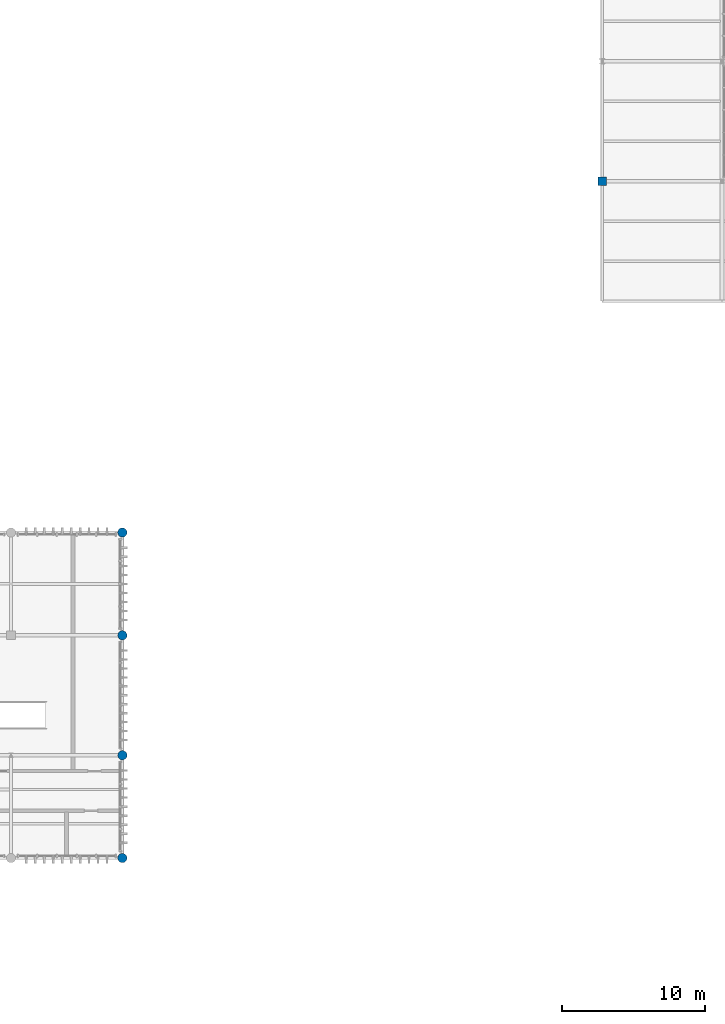
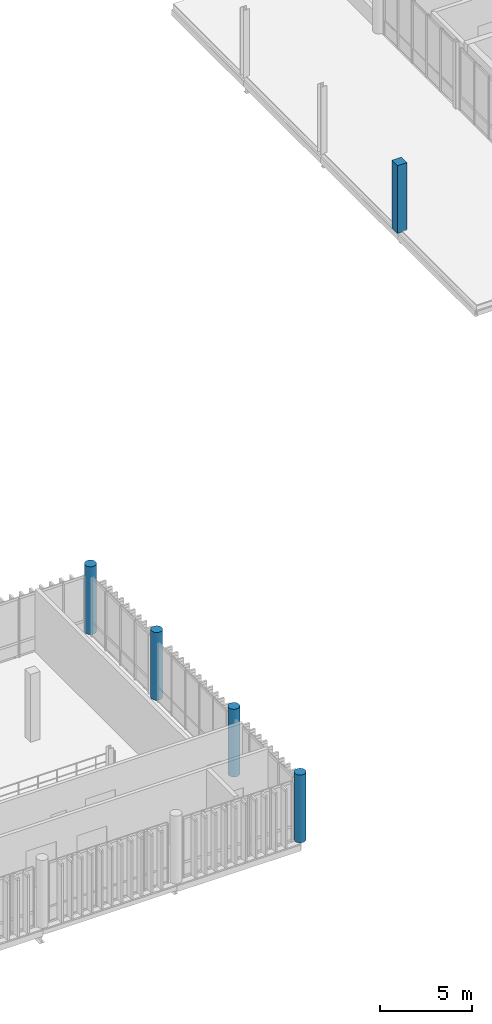
# One storey, part 4 of 66: 5 columns.
"""IFC4 building model written with IfcOpenShell, lengths in metres."""

import ifcopenshell
import ifcopenshell.guid

model = None  # the IFC model being written
_history = None  # IfcOwnerHistory: only IFC2X3 demands one
_inside = {}  # id of a spatial element -> (the spatial element, [elements in it])
_under = {}  # id of a project, library or spatial element -> (it, [spatial elements below it])
_declared = {}  # id of a project -> (the project, [libraries it declares])
_typed = {}  # id of a type object -> (the type object, [elements of that type])
_made_of = {}  # id of a material, layer set ... -> (it, [elements and type objects made of it])


def new_model(schema):
    """Start an empty IFC model of exactly this schema.

    Asked for "IFC4X3", IfcOpenShell would pick the latest addendum, in which some entities
    have other attributes; the version numbers below select the first issue.
    IFC2X3 requires an IfcOwnerHistory on every rooted entity: one is made here for all.
    """
    global model, _history
    if schema == "IFC4X3":
        model = ifcopenshell.file(schema_version=(4, 3, 0, 0))
    else:
        model = ifcopenshell.file(schema=schema)
    _inside.clear()
    _under.clear()
    _declared.clear()
    _typed.clear()
    _made_of.clear()
    _history = None
    if model.schema == "IFC2X3":
        org = make("IfcOrganization", Name="unknown")
        user = make(
            "IfcPersonAndOrganization",
            ThePerson=make("IfcPerson", FamilyName="unknown"),
            TheOrganization=org,
        )
        app = make(
            "IfcApplication",
            ApplicationDeveloper=org,
            Version="unknown",
            ApplicationFullName="unknown",
            ApplicationIdentifier="unknown",
        )
        _history = make(
            "IfcOwnerHistory",
            OwningUser=user,
            OwningApplication=app,
            ChangeAction="ADDED",
            CreationDate=0,
        )
    return model


def make(cls, **values):
    """One entity of the class cls with the attributes given. An attribute that is None is left unset."""
    return model.create_entity(
        cls, **{name: value for name, value in values.items() if value is not None}
    )


def rooted(cls, **values):
    """An entity with a GlobalId (a new one), such as an element, a storey or a relation."""
    return make(cls, GlobalId=ifcopenshell.guid.new(), OwnerHistory=_history, **values)


def si_unit(unit_type, name, prefix=None):
    """IfcSIUnit, for example si_unit("LENGTHUNIT", "METRE", prefix="MILLI")."""
    return make("IfcSIUnit", UnitType=unit_type, Prefix=prefix, Name=name)


def assignment(units):
    """IfcUnitAssignment: the units of a project."""
    return None if units is None else make("IfcUnitAssignment", Units=units)


def point(xyz):
    """IfcCartesianPoint."""
    return None if xyz is None else make("IfcCartesianPoint", Coordinates=xyz)


def direction(xyz):
    """IfcDirection."""
    return None if xyz is None else make("IfcDirection", DirectionRatios=xyz)


def frame(location, z_axis=None, x_axis=None):
    """IfcAxis2Placement3D, a coordinate frame: its origin and axes. An axis left out is left unset."""
    return make(
        "IfcAxis2Placement3D",
        Location=point(location),
        Axis=direction(z_axis),
        RefDirection=direction(x_axis),
    )


def frame_2d(location, x_axis=None):
    """IfcAxis2Placement2D, a coordinate frame in the plane: its origin and x axis."""
    return make(
        "IfcAxis2Placement2D", Location=point(location), RefDirection=direction(x_axis)
    )


def origin_with_axes():
    """The frame at (0, 0, 0) with the z axis (0, 0, 1) and the x axis (1, 0, 0) written out."""
    return frame((0.0, 0.0, 0.0), z_axis=(0.0, 0.0, 1.0), x_axis=(1.0, 0.0, 0.0))


def origin_2d_with_axis():
    """The frame at (0, 0) in the plane with the x axis (1, 0) written out."""
    return frame_2d((0.0, 0.0), x_axis=(1.0, 0.0))


def place(relative_to, where):
    """IfcLocalPlacement: puts the frame where relative to a parent placement (None: the world)."""
    return make(
        "IfcLocalPlacement", PlacementRelTo=relative_to, RelativePlacement=where
    )


def context(
    kind, dimensions, precision=None, world=None, true_north=None, identifier=None
):
    """IfcGeometricRepresentationContext, for example the 3D "Model" context."""
    return make(
        "IfcGeometricRepresentationContext",
        ContextIdentifier=identifier,
        ContextType=kind,
        CoordinateSpaceDimension=dimensions,
        Precision=precision,
        WorldCoordinateSystem=world,
        TrueNorth=true_north,
    )


def subcontext(parent, identifier, kind, view, scale=None):
    """IfcGeometricRepresentationSubContext, for example "Body" below "Model"."""
    return make(
        "IfcGeometricRepresentationSubContext",
        ContextIdentifier=identifier,
        ContextType=kind,
        ParentContext=parent,
        TargetScale=scale,
        TargetView=view,
    )


def project(units=None, contexts=None):
    """IfcProject with its units and contexts."""
    return rooted(
        "IfcProject",
        Name="project",
        RepresentationContexts=contexts,
        UnitsInContext=assignment(units),
    )


def spatial(cls, under=None, at=None, **own):
    """A site, building, storey or space (cls), placed at a placement, below another one or the project."""
    s = rooted(cls, ObjectPlacement=at, **own)
    if under is not None:
        _under.setdefault(under.id(), (under, []))[1].append(s)
    return s


def profile(cls, at=None, kind="AREA", **sizes):
    """A parametric profile (cls). Its sizes go by their IFC names, for example OverallWidth=200.0."""
    return make(cls, ProfileType=kind, Position=at, **sizes)


def rectangle(**sizes):
    """IfcRectangleProfileDef."""
    return profile("IfcRectangleProfileDef", **sizes)


def circle(**sizes):
    """IfcCircleProfileDef."""
    return profile("IfcCircleProfileDef", **sizes)


def extrude(swept, where, along, depth):
    """IfcExtrudedAreaSolid: the profile swept, set in the frame where, extruded along a direction by depth."""
    return make(
        "IfcExtrudedAreaSolid",
        SweptArea=swept,
        Position=where,
        ExtrudedDirection=direction(along),
        Depth=depth,
    )


def shape(context_of_items, identifier, shape_type, items):
    """IfcShapeRepresentation: the items that make up one representation, for example the "Body"."""
    return make(
        "IfcShapeRepresentation",
        ContextOfItems=context_of_items,
        RepresentationIdentifier=identifier,
        RepresentationType=shape_type,
        Items=items,
    )


def material(Name=None, Category=None):
    """IfcMaterial."""
    return make("IfcMaterial", Name=Name, Category=Category)


def material_profile(
    of_material, cross_section, Name=None, Category=None, Priority=None
):
    """IfcMaterialProfile: a cross section and its material."""
    return make(
        "IfcMaterialProfile",
        Name=Name,
        Material=of_material,
        Profile=cross_section,
        Priority=Priority,
        Category=Category,
    )


def profile_set(profiles, Name=None, composite=None):
    """IfcMaterialProfileSet."""
    return make(
        "IfcMaterialProfileSet",
        Name=Name,
        MaterialProfiles=profiles,
        CompositeProfile=composite,
    )


def made_of(thing, what):
    """Note that an element or type object is made of a material, layer set ...; save() writes the relation."""
    if what is not None:
        _made_of.setdefault(what.id(), (what, []))[1].append(thing)
    return thing


def type_object(cls, material=None, **own):
    """A type object (cls), such as IfcWallType, which elements share."""
    return made_of(rooted(cls, **own), material)


def element(
    cls,
    number,
    at=None,
    inside=None,
    cuts=None,
    type_object=None,
    material=None,
    context=None,
    identifier="Body",
    shape_type=None,
    held_by="IfcProductDefinitionShape",
    body=None,
    shapes=None,
    **own,
):
    """One element of the class cls, such as IfcWall. Its Tag is "e" and its number.

    at: its placement. inside: the storey or other place that contains it. cuts: it is an
    opening in that element (IfcRelVoidsElement). A single representation is given by context,
    identifier, shape_type and body (its items); several are given by shapes. held_by: the class
    of the entity that holds the representations. save() writes the other relations.
    """
    e = rooted(cls, Tag="e%d" % number, ObjectPlacement=at, **own)
    if body is not None:
        shapes = [shape(context, identifier, shape_type, body)]
    if shapes is not None:
        e.Representation = make(held_by, Representations=shapes)
    if inside is not None:
        _inside.setdefault(inside.id(), (inside, []))[1].append(e)
    if cuts is not None:
        rooted(
            "IfcRelVoidsElement", RelatingBuildingElement=cuts, RelatedOpeningElement=e
        )
    if type_object is not None:
        _typed.setdefault(type_object.id(), (type_object, []))[1].append(e)
    return made_of(e, material)


def aggregate(whole, parts):
    """IfcRelAggregates: a whole, such as a stair, and the parts it consists of."""
    return rooted("IfcRelAggregates", RelatingObject=whole, RelatedObjects=parts)


def save(model, path):
    """Write the relations noted so far, then the file.

    IfcRelAggregates (storeys below a building ...), IfcRelContainedInSpatialStructure (elements
    in a storey), IfcRelDefinesByType, IfcRelAssociatesMaterial and IfcRelDeclares: one each for
    every whole, place, type object, material and project.
    """
    for whole, parts in _under.values():
        aggregate(whole, parts)
    for where, things in _inside.values():
        rooted(
            "IfcRelContainedInSpatialStructure",
            RelatedElements=things,
            RelatingStructure=where,
        )
    for kind, things in _typed.values():
        rooted("IfcRelDefinesByType", RelatedObjects=things, RelatingType=kind)
    for what, things in _made_of.values():
        rooted("IfcRelAssociatesMaterial", RelatedObjects=things, RelatingMaterial=what)
    for by, libraries in _declared.values():
        rooted("IfcRelDeclares", RelatingContext=by, RelatedDefinitions=libraries)
    model.write(path)


model = new_model("IFC4")

# Units and contexts
model_context = context("Model", 3, precision=1e-05, world=origin_with_axes(), true_north=direction((0.0, 1.0)))
body_context = subcontext(model_context, "Body", "Model", "MODEL_VIEW")
ifc_project = project(units=[si_unit("LENGTHUNIT", "METRE"), si_unit("AREAUNIT", "SQUARE_METRE"), si_unit("VOLUMEUNIT", "CUBIC_METRE"), si_unit("PLANEANGLEUNIT", "RADIAN"), si_unit("MASSUNIT", "GRAM", prefix="KILO"), si_unit("THERMODYNAMICTEMPERATUREUNIT", "KELVIN")], contexts=[model_context])

# Site, building, storey
site_placement = place(None, origin_with_axes())
site = spatial("IfcSite", under=ifc_project, at=site_placement, CompositionType="ELEMENT")
building_placement = place(site_placement, origin_with_axes())
building = spatial("IfcBuilding", under=site, at=building_placement, Name="Montbau Bow Law Courts", CompositionType="ELEMENT")
storey_placement = place(building_placement, frame((0.0, 0.0, 34.5), z_axis=(0.0, 0.0, 1.0), x_axis=(1.0, 0.0, 0.0)))
storey = spatial("IfcBuildingStorey", under=building, at=storey_placement, Name="L07", CompositionType="ELEMENT", Elevation=34.5)

# Columns
ifc_material = material(Name="Concrete CSA A23.1 f'c 40 MPa", Category="concrete")
ifc_material_profile_1 = material_profile(ifc_material, rectangle(XDim=0.6, YDim=0.6, at=origin_2d_with_axis()), Name="RC600X600", Category="Main", Priority=0)
ifc_profile_set_1 = profile_set([ifc_material_profile_1], Name="Concrete CSA A23.1 f'c 40 MPa")
column_type_1 = type_object("IfcColumnType", Name="C-RC-06", PredefinedType="COLUMN", material=ifc_profile_set_1)
column_placement = place(None, frame((138.6, 86.4, 34.5), z_axis=(0.0, 0.0, 1.0), x_axis=(1.0, 0.0, 0.0)))
element("IfcColumn", 1, at=column_placement, inside=storey, type_object=column_type_1, Name="C-L07-S1047:col2_1047", PredefinedType="COLUMN", context=body_context, shape_type="SweptSolid", body=[
    extrude(rectangle(XDim=0.6, YDim=0.6, at=origin_2d_with_axis()), origin_with_axes(), (0.0, 0.0, 1.0), 4.5),
])
ifc_material_profile_2 = material_profile(ifc_material, circle(Radius=0.325, at=origin_2d_with_axis()), Name="RC650D", Category="Main", Priority=0)
ifc_profile_set_2 = profile_set([ifc_material_profile_2], Name="Concrete CSA A23.1 f'c 40 MPa")
column_type_2 = type_object("IfcColumnType", Name="C-RC-08", PredefinedType="COLUMN", material=ifc_profile_set_2)
for number, where, z_axis, x_axis, name in (
    (2, (105.0, 39.0, 34.5), (0.0, 0.0, 1.0), (1.0, 0.0, 0.0), "C-L07-S1043:col2_1043"),
    (3, (105.0, 46.2, 34.5), (0.0, 0.0, 1.0), (1.0, 0.0, 0.0), "C-L07-S1044:col2_1044"),
    (4, (105.0, 54.6, 34.5), (0.0, 0.0, 1.0), (1.0, 0.0, 0.0), "C-L07-S1045:col2_1045"),
    (5, (105.0, 61.8, 34.5), (0.0, 0.0, 1.0), (1.0, 0.0, 0.0), "C-L07-S1046:col2_1046"),
):
    element("IfcColumn", number, at=place(None, frame(where, z_axis=z_axis, x_axis=x_axis)), inside=storey, type_object=column_type_2, Name=name, PredefinedType="COLUMN", context=body_context, shape_type="SweptSolid", body=[
        extrude(circle(Radius=0.325, at=origin_2d_with_axis()), origin_with_axes(), (0.0, 0.0, 1.0), 4.5),
    ])

save(model, "model.ifc")
